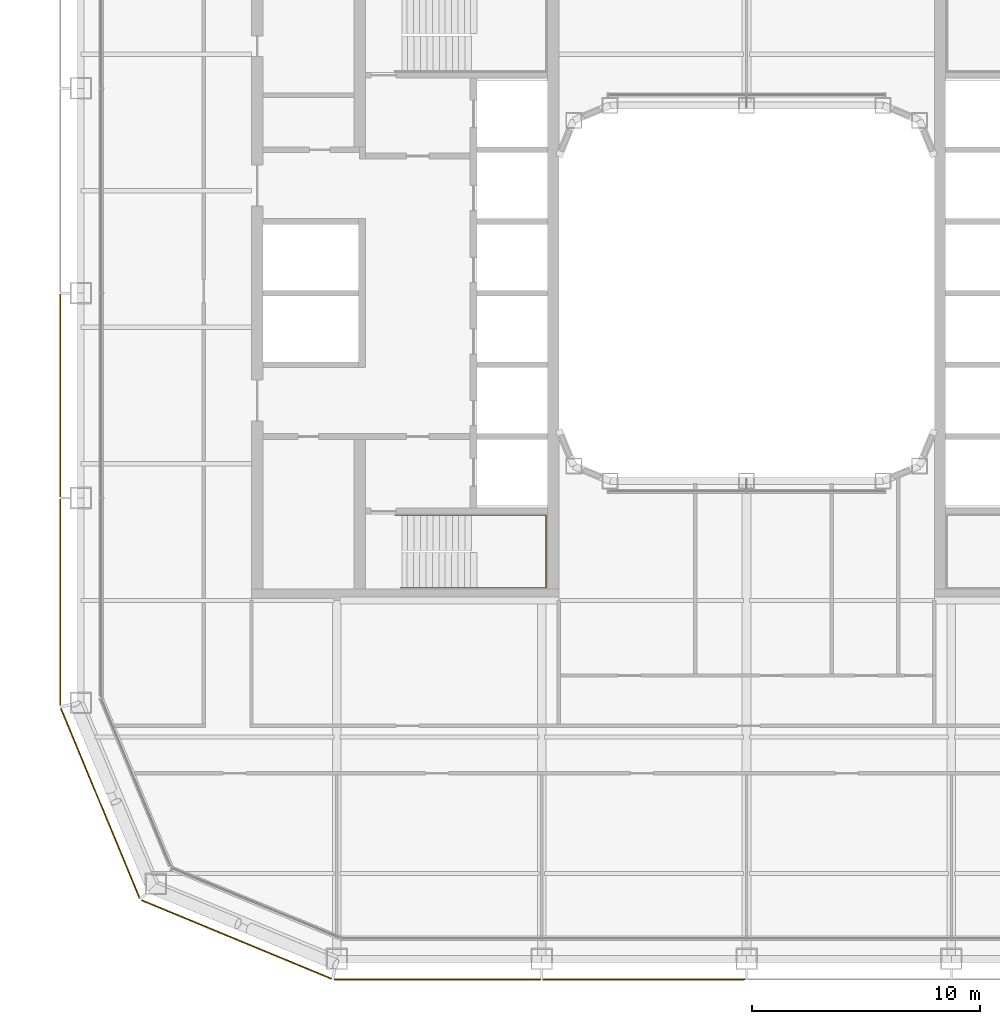
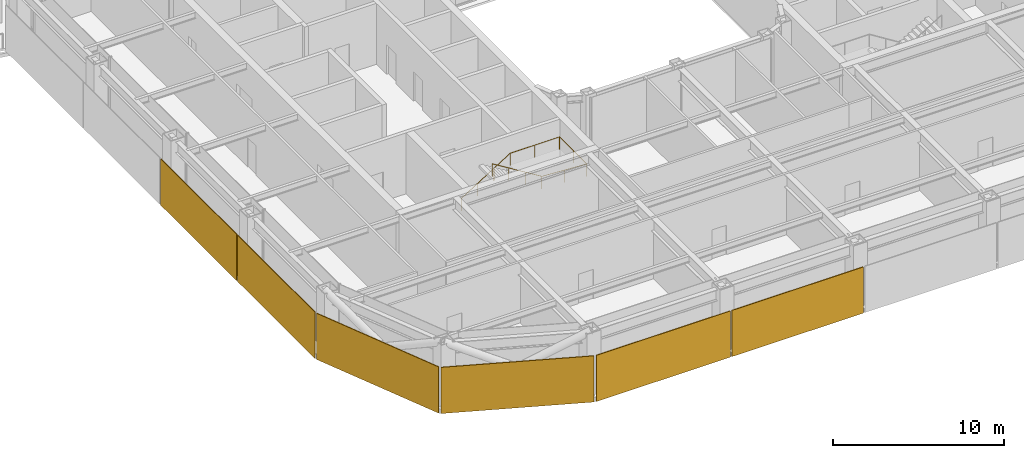
# One storey, part 18 of 23: 6 coverings, 1 railing.
"""IFC4 building model written with IfcOpenShell, lengths in metres."""

from ifc_helpers import new_model, si_unit, direction, frame, origin, origin_2d, place, context, subcontext, project, spatial, rectangle, circle, extrude, material, layer, layer_set, type_object, element, save


model = new_model("IFC4")

# Units and contexts
model_context = context("Model", 3, precision=1e-05, world=origin(), true_north=direction((0.0, 1.0)))
body_context = subcontext(model_context, "Body", "Model", "MODEL_VIEW")
ifc_project = project(units=[si_unit("LENGTHUNIT", "METRE"), si_unit("AREAUNIT", "SQUARE_METRE"), si_unit("VOLUMEUNIT", "CUBIC_METRE"), si_unit("PLANEANGLEUNIT", "RADIAN"), si_unit("MASSUNIT", "GRAM", prefix="KILO")], contexts=[model_context])

# Site, building, storey
site_placement = place(None, origin())
site = spatial("IfcSite", under=ifc_project, at=site_placement, CompositionType="ELEMENT")
building_placement = place(site_placement, origin())
building = spatial("IfcBuilding", under=site, at=building_placement, Name="Siwar Civic Tower", CompositionType="ELEMENT")
storey_placement = place(building_placement, frame((0.0, 0.0, 136.199951171875)))
storey = spatial("IfcBuildingStorey", under=building, at=storey_placement, Name="L29", CompositionType="ELEMENT", Elevation=136.199951171875)

# Railing
ifc_material_1 = material(Name="Stainless steel", Category="steel")
railing_type = type_object("IfcRailingType", Name="CORE-STAIR-HANDRAIL", PredefinedType="HANDRAIL", material=ifc_material_1)
railing_placement = place(storey_placement, frame((-15.449951171875, -9.758056640625, 0.173095703125)))
element("IfcRailing", 1, at=railing_placement, inside=storey, type_object=railing_type, Name="Stair handrail ST2", PredefinedType="HANDRAIL", context=body_context, shape_type="SweptSolid", body=[
    extrude(circle(Radius=0.02001953125, at=origin_2d()), frame((0.0, 0.0, 0.8798828125), z_axis=(0.847063342986, 0.0, 0.531491950051), x_axis=(0.0, 1.0, 0.0)), (0.0, 0.0, 1.0), 3.90771484375),
    extrude(circle(Radius=0.02001953125, at=origin_2d()), frame((3.31005859375, 0.0, 2.956787109375), z_axis=(1.0, 0.0, 0.0), x_axis=(0.0, 1.0, 0.0)), (0.0, 0.0, 1.0), 3.331787109375),
    extrude(circle(Radius=0.02001953125, at=origin_2d()), frame((6.641845703125, 0.0, 2.956787109375), z_axis=(0.0, -1.0, 0.0), x_axis=(1.0, 0.0, 0.0)), (0.0, 0.0, 1.0), 3.183837890625),
    extrude(circle(Radius=0.02001953125, at=origin_2d()), frame((6.641845703125, -3.183837890625, 2.956787109375), z_axis=(-0.99837434197, 0.0, 0.056997134106), x_axis=(0.0, -1.0, 0.0)), (0.0, 0.0, 1.0), 3.036865234375),
    extrude(circle(Radius=0.02001953125, at=origin_2d()), frame((3.60986328125, -3.183837890625, 3.1298828125), z_axis=(-0.850606129759, 0.0, 0.525803396734), x_axis=(0.0, -1.0, 0.0)), (0.0, 0.0, 1.0), 3.949951171875),
    extrude(circle(Radius=0.02001953125, at=origin_2d()), origin(), (0.0, 0.0, 1.0), 0.85986328125),
    extrude(circle(Radius=0.02001953125, at=origin_2d()), frame((1.103271484375, 0.0, 0.6923828125)), (0.0, 0.0, 1.0), 0.85986328125),
    extrude(circle(Radius=0.02001953125, at=origin_2d()), frame((2.206787109375, 0.0, 1.384521484375)), (0.0, 0.0, 1.0), 0.85986328125),
    extrude(circle(Radius=0.02001953125, at=origin_2d()), frame((3.31005859375, 0.0, 2.076904296875)), (0.0, 0.0, 1.0), 0.85986328125),
    extrude(circle(Radius=0.02001953125, at=origin_2d()), frame((4.97607421875, 0.0, 2.076904296875)), (0.0, 0.0, 1.0), 0.85986328125),
    extrude(circle(Radius=0.02001953125, at=origin_2d()), frame((6.641845703125, 0.0, 2.076904296875)), (0.0, 0.0, 1.0), 0.85986328125),
    extrude(circle(Radius=0.02001953125, at=origin_2d()), frame((6.641845703125, -1.591796875, 2.076904296875)), (0.0, 0.0, 1.0), 0.85986328125),
    extrude(circle(Radius=0.02001953125, at=origin_2d()), frame((6.641845703125, -3.183837890625, 2.076904296875)), (0.0, 0.0, 1.0), 0.85986328125),
    extrude(circle(Radius=0.02001953125, at=origin_2d()), frame((5.1259765625, -3.183837890625, 2.16357421875)), (0.0, 0.0, 1.0), 0.85986328125),
    extrude(circle(Radius=0.02001953125, at=origin_2d()), frame((3.60986328125, -3.183837890625, 2.25)), (0.0, 0.0, 1.0), 0.85986328125),
    extrude(circle(Radius=0.02001953125, at=origin_2d()), frame((2.489990234375, -3.183837890625, 2.9423828125)), (0.0, 0.0, 1.0), 0.85986328125),
    extrude(circle(Radius=0.02001953125, at=origin_2d()), frame((1.369873046875, -3.183837890625, 3.634521484375)), (0.0, 0.0, 1.0), 0.85986328125),
    extrude(circle(Radius=0.02001953125, at=origin_2d()), frame((0.25, -3.183837890625, 4.326904296875)), (0.0, 0.0, 1.0), 0.85986328125),
])

# Coverings
ifc_material_2 = material(Name="Perforated aluminium cassette, pale metal", Category="aluminium")
ifc_layer_1 = layer(ifc_material_2, 0.050048828125)
ifc_layer_set_1 = layer_set([ifc_layer_1], Name="Perforated aluminium cassette, pale metal")
covering_type_1 = type_object("IfcCoveringType", Name="ENV-OUTER SKIN OS-3", PredefinedType="CLADDING", material=ifc_layer_set_1)
covering_1_placement = place(storey_placement, frame((-30.14990234375, -4.5, -0.14990234375), z_axis=(0.0, 0.0, 1.0), x_axis=(0.0, -1.0, 0.0)))
element("IfcCovering", 2, at=covering_1_placement, inside=storey, type_object=covering_type_1, Name="OUTER SKIN OS-3 W 3", PredefinedType="CLADDING", context=body_context, shape_type="SweptSolid", body=[
    extrude(rectangle(XDim=8.89990234375, YDim=0.050048828125, at=origin_2d()), origin(), (0.0, 0.0, 1.0), 3.300048828125),
])
covering_2_placement = place(storey_placement, frame((-30.14990234375, -13.57958984375, -0.14990234375), z_axis=(0.0, 0.0, 1.0), x_axis=(0.0, -1.0, 0.0)))
element("IfcCovering", 3, at=covering_2_placement, inside=storey, type_object=covering_type_1, Name="OUTER SKIN OS-3 W 4", PredefinedType="CLADDING", context=body_context, shape_type="SweptSolid", body=[
    extrude(rectangle(XDim=9.05908203125, YDim=0.050048828125, at=origin_2d()), origin(), (0.0, 0.0, 1.0), 3.300048828125),
])
ifc_material_3 = material(Name="Perforated aluminium cassette, pale metal", Category="aluminium")
ifc_layer_2 = layer(ifc_material_3, 0.054931640625)
ifc_layer_set_2 = layer_set([ifc_layer_2], Name="Perforated aluminium cassette, pale metal")
covering_type_2 = type_object("IfcCoveringType", Name="ENV-OUTER SKIN OS-4", PredefinedType="CLADDING", material=ifc_layer_set_2)
covering_3_placement = place(storey_placement, frame((-13.57958984375, -30.14990234375, -0.14990234375), z_axis=(0.0, 0.0, 1.0), x_axis=(1.0, 0.0, 0.0)))
element("IfcCovering", 4, at=covering_3_placement, inside=storey, type_object=covering_type_2, Name="OUTER SKIN OS-4 S 1", PredefinedType="CLADDING", context=body_context, shape_type="SweptSolid", body=[
    extrude(rectangle(XDim=9.05908203125, YDim=0.054931640625, at=origin_2d()), origin(), (0.0, 0.0, 1.0), 3.300048828125),
])
covering_4_placement = place(storey_placement, frame((-4.5, -30.14990234375, -0.14990234375), z_axis=(0.0, 0.0, 1.0), x_axis=(1.0, 0.0, 0.0)))
element("IfcCovering", 5, at=covering_4_placement, inside=storey, type_object=covering_type_2, Name="OUTER SKIN OS-4 S 2", PredefinedType="CLADDING", context=body_context, shape_type="SweptSolid", body=[
    extrude(rectangle(XDim=8.89990234375, YDim=0.054931640625, at=origin_2d()), origin(), (0.0, 0.0, 1.0), 3.300048828125),
])
for number, where, z_axis, x_axis, name in (
    (6, (-28.39697265625, -22.411376953125, -0.14990234375), (0.0, 0.0, 1.0), (0.382683432365, -0.923879532511, 0.0), "OUTER SKIN OS-4 SW1 1"),
    (7, (-22.411376953125, -28.39697265625, -0.14990234375), (0.0, 0.0, 1.0), (0.923879532511, -0.382683432365, 0.0), "OUTER SKIN OS-4 SW2 1"),
):
    element("IfcCovering", number, at=place(storey_placement, frame(where, z_axis=z_axis, x_axis=x_axis)), inside=storey, type_object=covering_type_2, Name=name, PredefinedType="CLADDING", context=body_context, shape_type="SweptSolid", body=[
        extrude(rectangle(XDim=9.022216796875, YDim=0.054931640625, at=origin_2d()), origin(), (0.0, 0.0, 1.0), 3.300048828125),
    ])

save(model, "model.ifc")
